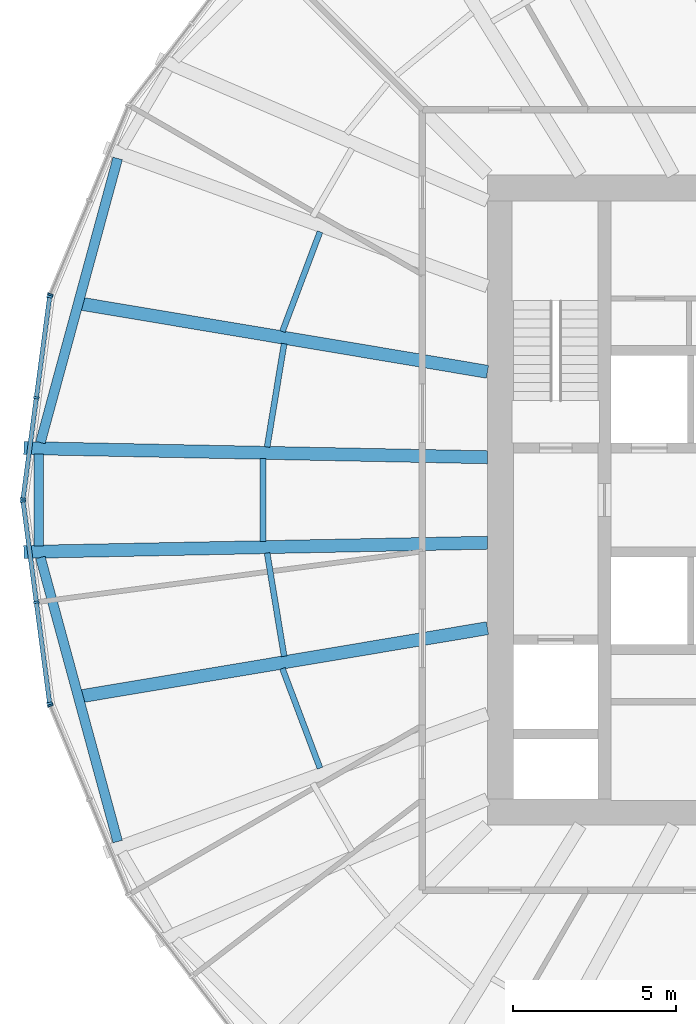
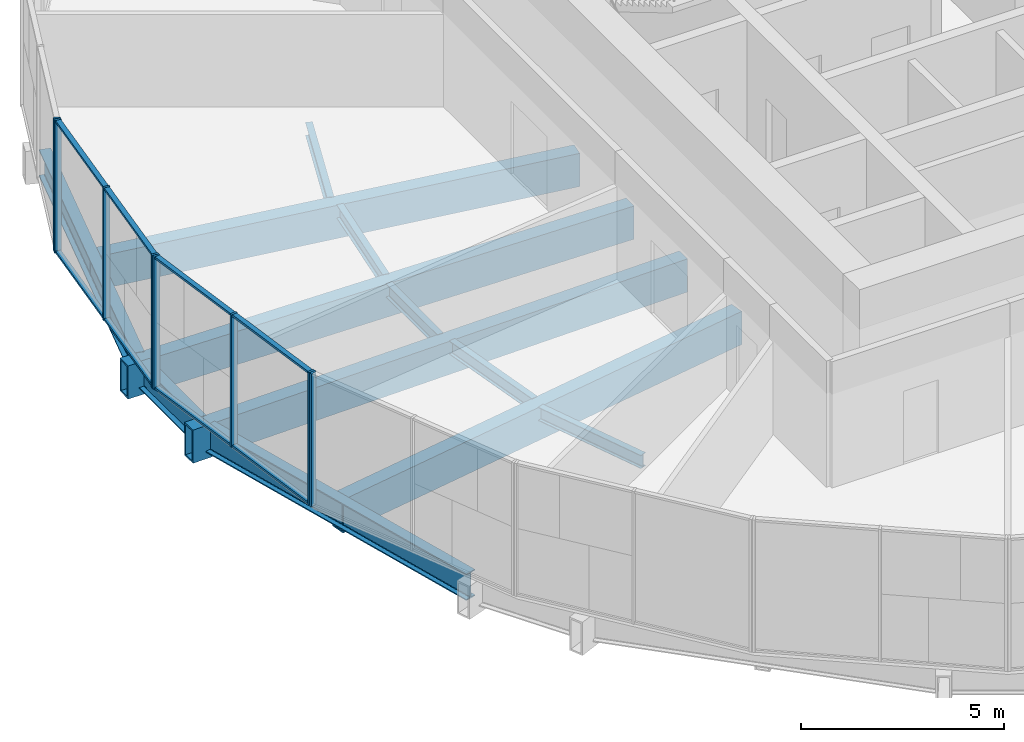
# One storey, part 3 of 13: 16 members, 12 beams, 4 elements without a shape of their own.
"""IFC4 building model written with IfcOpenShell, lengths in metres."""

from ifc_helpers import new_model, si_unit, direction, frame, origin, origin_2d, place, context, subcontext, project, spatial, rectangle, hollow_rectangle, i_section, extrude, material, material_profile, profile_set, type_object, element, aggregate, save


model = new_model("IFC4")

# Units and contexts
model_context = context("Model", 3, precision=1e-05, world=origin(), true_north=direction((0.0, 1.0)))
body_context = subcontext(model_context, "Body", "Model", "MODEL_VIEW")
ifc_project = project(units=[si_unit("LENGTHUNIT", "METRE"), si_unit("AREAUNIT", "SQUARE_METRE"), si_unit("VOLUMEUNIT", "CUBIC_METRE"), si_unit("PLANEANGLEUNIT", "RADIAN"), si_unit("MASSUNIT", "GRAM", prefix="KILO")], contexts=[model_context])

# Site, building, storey
site_placement = place(None, origin())
site = spatial("IfcSite", under=ifc_project, at=site_placement, CompositionType="ELEMENT")
building_placement = place(site_placement, origin())
building = spatial("IfcBuilding", under=site, at=building_placement, Name="Golbaran Civic Tower", CompositionType="ELEMENT")
storey_placement = place(building_placement, frame((0.0, 0.0, 81.0)))
storey = spatial("IfcBuildingStorey", under=building, at=storey_placement, Name="L19", CompositionType="ELEMENT", Elevation=81.0)

# Beams
ifc_material_1 = material(Name="Steel S355", Category="steel")
ifc_material_profile_1 = material_profile(ifc_material_1, i_section(OverallWidth=0.300048828125, OverallDepth=0.800048828125, WebThickness=0.017578125, FlangeThickness=0.032958984375, FilletRadius=0.030029296875, at=origin_2d()), Name="HEB 800")
ifc_profile_set_1 = profile_set([ifc_material_profile_1], Name="Steel S355")
beam_type_1 = type_object("IfcBeamType", Name="EDGE BEAM HEB 800", PredefinedType="BEAM", material=ifc_profile_set_1)
beam_1_placement = place(storey_placement, frame((-21.37451171875, 10.50634765625, -0.60009765625), z_axis=(-0.262357723601, -0.964970686014, 0.0), x_axis=(0.964970686014, -0.262357723601, 0.0)))
element("IfcBeam", 1, at=beam_1_placement, inside=storey, type_object=beam_type_1, Name="Edge beam 153.70 L19", PredefinedType="BEAM", context=body_context, shape_type="SweptSolid", body=[
    extrude(i_section(OverallWidth=0.300048828125, OverallDepth=0.800048828125, WebThickness=0.017578125, FlangeThickness=0.032958984375, FilletRadius=0.030029296875, at=origin_2d()), origin(), (0.0, 0.0, 1.0), 9.05615234375),
])
beam_2_placement = place(storey_placement, frame((-23.79931640625, 1.408203125, -0.60009765625), z_axis=(0.0, -1.0, 0.0), x_axis=(1.0, 0.0, 0.0)))
element("IfcBeam", 2, at=beam_2_placement, inside=storey, type_object=beam_type_1, Name="Edge beam 176.30 L19", PredefinedType="BEAM", context=body_context, shape_type="SweptSolid", body=[
    extrude(i_section(OverallWidth=0.300048828125, OverallDepth=0.800048828125, WebThickness=0.017578125, FlangeThickness=0.032958984375, FilletRadius=0.030029296875, at=origin_2d()), origin(), (0.0, 0.0, 1.0), 2.81640625),
])
beam_3_placement = place(storey_placement, frame((-23.75048828125, -1.767333984375, -0.60009765625), z_axis=(0.262357723601, -0.964970686014, 0.0), x_axis=(0.964970686014, 0.262357723601, 0.0)))
element("IfcBeam", 3, at=beam_3_placement, inside=storey, type_object=beam_type_1, Name="Edge beam 183.70 L19", PredefinedType="BEAM", context=body_context, shape_type="SweptSolid", body=[
    extrude(i_section(OverallWidth=0.300048828125, OverallDepth=0.800048828125, WebThickness=0.017578125, FlangeThickness=0.032958984375, FilletRadius=0.030029296875, at=origin_2d()), origin(), (0.0, 0.0, 1.0), 9.05615234375),
])
ifc_material_profile_2 = material_profile(ifc_material_1, i_section(OverallWidth=0.179931640625, OverallDepth=0.39990234375, WebThickness=0.008544921875, FlangeThickness=0.013427734375, FilletRadius=0.02099609375, at=origin_2d()), Name="IPE 400")
ifc_profile_set_2 = profile_set([ifc_material_profile_2], Name="Steel S355")
beam_type_2 = type_object("IfcBeamType", Name="FLOOR INFILL BEAM IPE 400", PredefinedType="BEAM", material=ifc_profile_set_2)
beam_4_placement = place(storey_placement, frame((-15.15185546875, 8.248779296875, -0.39990234375), z_axis=(-0.35269054468, -0.935740017149, 0.0), x_axis=(0.935740017149, -0.35269054468, 0.0)))
element("IfcBeam", 4, at=beam_4_placement, inside=storey, type_object=beam_type_2, Name="Infill beam 159.35 L19", PredefinedType="BEAM", context=body_context, shape_type="SweptSolid", body=[
    extrude(i_section(OverallWidth=0.179931640625, OverallDepth=0.39990234375, WebThickness=0.008544921875, FlangeThickness=0.013427734375, FilletRadius=0.02099609375, at=origin_2d()), origin(), (0.0, 0.0, 1.0), 3.277099609375),
])
beam_5_placement = place(storey_placement, frame((-16.254638671875, 4.808349609375, -0.39990234375), z_axis=(-0.16244509713, -0.986717583921, 0.0), x_axis=(0.986717583921, -0.16244509713, 0.0)))
element("IfcBeam", 5, at=beam_5_placement, inside=storey, type_object=beam_type_2, Name="Infill beam 170.65 L19", PredefinedType="BEAM", context=body_context, shape_type="SweptSolid", body=[
    extrude(i_section(OverallWidth=0.179931640625, OverallDepth=0.39990234375, WebThickness=0.008544921875, FlangeThickness=0.013427734375, FilletRadius=0.02099609375, at=origin_2d()), origin(), (0.0, 0.0, 1.0), 3.22216796875),
])
beam_6_placement = place(storey_placement, frame((-16.899658203125, 1.271240234375, -0.39990234375), z_axis=(0.0, -1.0, 0.0), x_axis=(1.0, 0.0, 0.0)))
element("IfcBeam", 6, at=beam_6_placement, inside=storey, type_object=beam_type_2, Name="Infill beam 180.00 L19", PredefinedType="BEAM", context=body_context, shape_type="SweptSolid", body=[
    extrude(i_section(OverallWidth=0.179931640625, OverallDepth=0.39990234375, WebThickness=0.008544921875, FlangeThickness=0.013427734375, FilletRadius=0.02099609375, at=origin_2d()), origin(), (0.0, 0.0, 1.0), 2.54248046875),
])
beam_7_placement = place(storey_placement, frame((-16.778076171875, -1.62890625, -0.39990234375), z_axis=(0.16244509713, -0.986717583921, 0.0), x_axis=(0.986717583921, 0.16244509713, 0.0)))
element("IfcBeam", 7, at=beam_7_placement, inside=storey, type_object=beam_type_2, Name="Infill beam 189.35 L19", PredefinedType="BEAM", context=body_context, shape_type="SweptSolid", body=[
    extrude(i_section(OverallWidth=0.179931640625, OverallDepth=0.39990234375, WebThickness=0.008544921875, FlangeThickness=0.013427734375, FilletRadius=0.02099609375, at=origin_2d()), origin(), (0.0, 0.0, 1.0), 3.22216796875),
])
beam_8_placement = place(storey_placement, frame((-16.3076171875, -5.182373046875, -0.39990234375), z_axis=(0.35269054468, -0.935740017149, 0.0), x_axis=(0.935740017149, 0.35269054468, 0.0)))
element("IfcBeam", 8, at=beam_8_placement, inside=storey, type_object=beam_type_2, Name="Infill beam 200.65 L19", PredefinedType="BEAM", context=body_context, shape_type="SweptSolid", body=[
    extrude(i_section(OverallWidth=0.179931640625, OverallDepth=0.39990234375, WebThickness=0.008544921875, FlangeThickness=0.013427734375, FilletRadius=0.02099609375, at=origin_2d()), origin(), (0.0, 0.0, 1.0), 3.277099609375),
])

# Curtain wall, member
ifc_material_2 = material(Name="Aluminium and glass", Category="aluminium")
curtain_wall_type = type_object("IfcCurtainWallType", Name="INNER SKIN CURTAIN WALL", PredefinedType="NOTDEFINED", material=ifc_material_2)
curtain_wall_1_placement = place(storey_placement, origin())
curtain_wall_1 = element("IfcCurtainWall", 9, at=curtain_wall_1_placement, inside=storey, type_object=curtain_wall_type, Name="Inner skin L19 facet 11 CW1", ObjectType="INNER SKIN", PredefinedType="USERDEFINED")
ifc_material_3 = material(Name="Aluminium", Category="aluminium")
ifc_material_profile_3 = material_profile(ifc_material_3, rectangle(XDim=0.179931640625, YDim=0.06494140625, at=origin_2d()), Name="INNER SKIN CURTAIN WALL MULLION")
ifc_profile_set_3 = profile_set([ifc_material_profile_3], Name="Aluminium")
member_type_1 = type_object("IfcMemberType", Name="INNER SKIN CURTAIN WALL MULLION", PredefinedType="MULLION", material=ifc_profile_set_3)
member_1_placement = place(storey_placement, frame((-23.449951171875, 6.316650390625, 0.0), z_axis=(0.0, 0.0, 1.0), x_axis=(0.923879532478, -0.382683432446, 0.0)))
member_1 = element("IfcMember", 10, at=member_1_placement, type_object=member_type_1, Name="CW1 mullion 3", PredefinedType="MULLION", context=body_context, shape_type="SweptSolid", body=[
    extrude(rectangle(XDim=0.179931640625, YDim=0.06494140625, at=origin_2d()), origin(), (0.0, 0.0, 1.0), 4.0),
])
aggregate(curtain_wall_1, [member_1])

# Curtain wall, members
curtain_wall_2_placement = place(storey_placement, origin())
curtain_wall_2 = element("IfcCurtainWall", 11, at=curtain_wall_2_placement, inside=storey, type_object=curtain_wall_type, Name="Inner skin L19 facet 12 CW1", ObjectType="INNER SKIN", PredefinedType="USERDEFINED")
member_2_placement = place(storey_placement, frame((-23.466552734375, 6.25439453125, 0.0), z_axis=(0.0, 0.0, 1.0), x_axis=(0.991444861383, -0.130526192151, 0.0)))
member_2 = element("IfcMember", 12, at=member_2_placement, type_object=member_type_1, Name="CW1 mullion 1", PredefinedType="MULLION", context=body_context, shape_type="SweptSolid", body=[
    extrude(rectangle(XDim=0.179931640625, YDim=0.06494140625, at=origin_2d()), origin(), (0.0, 0.0, 1.0), 4.0),
])
member_3_placement = place(storey_placement, frame((-23.876220703125, 3.143310546875, 0.0), z_axis=(0.0, 0.0, 1.0), x_axis=(0.991444861383, -0.130526192151, 0.0)))
member_3 = element("IfcMember", 13, at=member_3_placement, type_object=member_type_1, Name="CW1 mullion 2", PredefinedType="MULLION", context=body_context, shape_type="SweptSolid", body=[
    extrude(rectangle(XDim=0.179931640625, YDim=0.06494140625, at=origin_2d()), origin(), (0.0, 0.0, 1.0), 4.0),
])
member_4_placement = place(storey_placement, frame((-24.28564453125, 0.0322265625, 0.0), z_axis=(0.0, 0.0, 1.0), x_axis=(0.991444861383, -0.130526192151, 0.0)))
member_4 = element("IfcMember", 14, at=member_4_placement, type_object=member_type_1, Name="CW1 mullion 3", PredefinedType="MULLION", context=body_context, shape_type="SweptSolid", body=[
    extrude(rectangle(XDim=0.179931640625, YDim=0.06494140625, at=origin_2d()), origin(), (0.0, 0.0, 1.0), 4.0),
])

curtain_wall_3_placement = place(storey_placement, origin())
curtain_wall_3 = element("IfcCurtainWall", 15, at=curtain_wall_3_placement, inside=storey, type_object=curtain_wall_type, Name="Inner skin L19 facet 13 CW1", ObjectType="INNER SKIN", PredefinedType="USERDEFINED")
member_5_placement = place(storey_placement, frame((-24.28564453125, -0.0322265625, 0.0), z_axis=(0.0, 0.0, 1.0), x_axis=(0.991444861383, 0.130526192151, 0.0)))
member_5 = element("IfcMember", 16, at=member_5_placement, type_object=member_type_1, Name="CW1 mullion 1", PredefinedType="MULLION", context=body_context, shape_type="SweptSolid", body=[
    extrude(rectangle(XDim=0.179931640625, YDim=0.06494140625, at=origin_2d()), origin(), (0.0, 0.0, 1.0), 4.0),
])
member_6_placement = place(storey_placement, frame((-23.876220703125, -3.143310546875, 0.0), z_axis=(0.0, 0.0, 1.0), x_axis=(0.991444861383, 0.130526192151, 0.0)))
member_6 = element("IfcMember", 17, at=member_6_placement, type_object=member_type_1, Name="CW1 mullion 2", PredefinedType="MULLION", context=body_context, shape_type="SweptSolid", body=[
    extrude(rectangle(XDim=0.179931640625, YDim=0.06494140625, at=origin_2d()), origin(), (0.0, 0.0, 1.0), 4.0),
])
member_7_placement = place(storey_placement, frame((-23.466552734375, -6.25439453125, 0.0), z_axis=(0.0, 0.0, 1.0), x_axis=(0.991444861383, 0.130526192151, 0.0)))
member_7 = element("IfcMember", 18, at=member_7_placement, type_object=member_type_1, Name="CW1 mullion 3", PredefinedType="MULLION", context=body_context, shape_type="SweptSolid", body=[
    extrude(rectangle(XDim=0.179931640625, YDim=0.06494140625, at=origin_2d()), origin(), (0.0, 0.0, 1.0), 4.0),
])

# Curtain wall, member
curtain_wall_4_placement = place(storey_placement, origin())
curtain_wall_4 = element("IfcCurtainWall", 19, at=curtain_wall_4_placement, inside=storey, type_object=curtain_wall_type, Name="Inner skin L19 facet 14 CW1", ObjectType="INNER SKIN", PredefinedType="USERDEFINED")
member_8_placement = place(storey_placement, frame((-23.449951171875, -6.316650390625, 0.0), z_axis=(0.0, 0.0, 1.0), x_axis=(0.923879532478, 0.382683432446, 0.0)))
member_8 = element("IfcMember", 20, at=member_8_placement, type_object=member_type_1, Name="CW1 mullion 1", PredefinedType="MULLION", context=body_context, shape_type="SweptSolid", body=[
    extrude(rectangle(XDim=0.179931640625, YDim=0.06494140625, at=origin_2d()), origin(), (0.0, 0.0, 1.0), 4.0),
])
aggregate(curtain_wall_4, [member_8])

# Member
ifc_material_profile_4 = material_profile(ifc_material_3, rectangle(XDim=0.139892578125, YDim=0.06494140625, at=origin_2d()), Name="INNER SKIN CURTAIN WALL TRANSOM")
ifc_profile_set_4 = profile_set([ifc_material_profile_4], Name="Aluminium")
member_type_2 = type_object("IfcMemberType", Name="INNER SKIN CURTAIN WALL TRANSOM", PredefinedType="USERDEFINED", material=ifc_profile_set_4)
member_9_placement = place(storey_placement, frame((-23.470703125, 6.22216796875, 0.032470703125), z_axis=(-0.130534664207, -0.991443745979, 0.0), x_axis=(0.991443745979, -0.130534664207, 0.0)))
member_9 = element("IfcMember", 21, at=member_9_placement, type_object=member_type_2, Name="CW1 transom 1.1", ObjectType="TRANSOM", PredefinedType="USERDEFINED", context=body_context, shape_type="SweptSolid", body=[
    extrude(rectangle(XDim=0.139892578125, YDim=0.06494140625, at=origin_2d()), origin(), (0.0, 0.0, 1.0), 3.072998046875),
])

member_10_placement = place(storey_placement, frame((-23.470703125, 6.22216796875, 3.967529296875), z_axis=(-0.130534664207, -0.991443745979, 0.0), x_axis=(0.991443745979, -0.130534664207, 0.0)))
member_10 = element("IfcMember", 22, at=member_10_placement, type_object=member_type_2, Name="CW1 transom 1.2", ObjectType="TRANSOM", PredefinedType="USERDEFINED", context=body_context, shape_type="SweptSolid", body=[
    extrude(rectangle(XDim=0.139892578125, YDim=0.06494140625, at=origin_2d()), origin(), (0.0, 0.0, 1.0), 3.072998046875),
])

member_11_placement = place(storey_placement, frame((-23.88037109375, 3.111083984375, 0.032470703125), z_axis=(-0.130534664207, -0.991443745979, 0.0), x_axis=(0.991443745979, -0.130534664207, 0.0)))
member_11 = element("IfcMember", 23, at=member_11_placement, type_object=member_type_2, Name="CW1 transom 2.1", ObjectType="TRANSOM", PredefinedType="USERDEFINED", context=body_context, shape_type="SweptSolid", body=[
    extrude(rectangle(XDim=0.139892578125, YDim=0.06494140625, at=origin_2d()), origin(), (0.0, 0.0, 1.0), 3.072998046875),
])

member_12_placement = place(storey_placement, frame((-23.88037109375, 3.111083984375, 3.967529296875), z_axis=(-0.130534664207, -0.991443745979, 0.0), x_axis=(0.991443745979, -0.130534664207, 0.0)))
member_12 = element("IfcMember", 24, at=member_12_placement, type_object=member_type_2, Name="CW1 transom 2.2", ObjectType="TRANSOM", PredefinedType="USERDEFINED", context=body_context, shape_type="SweptSolid", body=[
    extrude(rectangle(XDim=0.139892578125, YDim=0.06494140625, at=origin_2d()), origin(), (0.0, 0.0, 1.0), 3.072998046875),
])

aggregate(curtain_wall_2, [member_2, member_3, member_4, member_9, member_10, member_11, member_12])

member_13_placement = place(storey_placement, frame((-24.281494140625, -0.064453125, 0.032470703125), z_axis=(0.130534664207, -0.991443745979, 0.0), x_axis=(0.991443745979, 0.130534664207, 0.0)))
member_13 = element("IfcMember", 25, at=member_13_placement, type_object=member_type_2, Name="CW1 transom 1.1", ObjectType="TRANSOM", PredefinedType="USERDEFINED", context=body_context, shape_type="SweptSolid", body=[
    extrude(rectangle(XDim=0.139892578125, YDim=0.06494140625, at=origin_2d()), origin(), (0.0, 0.0, 1.0), 3.072998046875),
])

member_14_placement = place(storey_placement, frame((-24.281494140625, -0.064453125, 3.967529296875), z_axis=(0.130534664207, -0.991443745979, 0.0), x_axis=(0.991443745979, 0.130534664207, 0.0)))
member_14 = element("IfcMember", 26, at=member_14_placement, type_object=member_type_2, Name="CW1 transom 1.2", ObjectType="TRANSOM", PredefinedType="USERDEFINED", context=body_context, shape_type="SweptSolid", body=[
    extrude(rectangle(XDim=0.139892578125, YDim=0.06494140625, at=origin_2d()), origin(), (0.0, 0.0, 1.0), 3.072998046875),
])

member_15_placement = place(storey_placement, frame((-23.871826171875, -3.175537109375, 0.032470703125), z_axis=(0.130534664207, -0.991443745979, 0.0), x_axis=(0.991443745979, 0.130534664207, 0.0)))
member_15 = element("IfcMember", 27, at=member_15_placement, type_object=member_type_2, Name="CW1 transom 2.1", ObjectType="TRANSOM", PredefinedType="USERDEFINED", context=body_context, shape_type="SweptSolid", body=[
    extrude(rectangle(XDim=0.139892578125, YDim=0.06494140625, at=origin_2d()), origin(), (0.0, 0.0, 1.0), 3.072998046875),
])

member_16_placement = place(storey_placement, frame((-23.871826171875, -3.175537109375, 3.967529296875), z_axis=(0.130534664207, -0.991443745979, 0.0), x_axis=(0.991443745979, 0.130534664207, 0.0)))
member_16 = element("IfcMember", 28, at=member_16_placement, type_object=member_type_2, Name="CW1 transom 2.2", ObjectType="TRANSOM", PredefinedType="USERDEFINED", context=body_context, shape_type="SweptSolid", body=[
    extrude(rectangle(XDim=0.139892578125, YDim=0.06494140625, at=origin_2d()), origin(), (0.0, 0.0, 1.0), 3.072998046875),
])

aggregate(curtain_wall_3, [member_5, member_6, member_7, member_13, member_14, member_15, member_16])

# Beams
ifc_material_profile_5 = material_profile(ifc_material_1, hollow_rectangle(XDim=0.39990234375, YDim=1.0, WallThickness=0.050048828125, at=origin_2d()), Name="BOX 1000x400x50")
ifc_profile_set_5 = profile_set([ifc_material_profile_5], Name="Steel S355")
beam_type_3 = type_object("IfcBeamType", Name="RADIAL FLOOR BEAM BOX 1000x400x50", PredefinedType="BEAM", material=ifc_profile_set_5)
for number, where, z_axis, x_axis, name in (
    (29, (-10.0, 1.314208984375, -0.7099609375), (-0.999802869694, 0.019855018298, 0.0), (-0.019855018298, -0.999802869694, 0.0), "Radial beam 176.30 L19"),
    (30, (-10.0, -1.314208984375, -0.7099609375), (-0.999802869694, -0.019855018298, 0.0), (0.019855018298, -0.999802869694, 0.0), "Radial beam 183.70 L19"),
):
    element("IfcBeam", number, at=place(storey_placement, frame(where, z_axis=z_axis, x_axis=x_axis)), inside=storey, type_object=beam_type_3, Name=name, PredefinedType="BEAM", context=body_context, shape_type="SweptSolid", body=[
        extrude(hollow_rectangle(XDim=0.39990234375, YDim=1.0, WallThickness=0.050048828125, at=origin_2d()), origin(), (0.0, 0.0, 1.0), 14.263671875),
    ])
ifc_material_profile_6 = material_profile(ifc_material_1, hollow_rectangle(XDim=0.39990234375, YDim=1.0, WallThickness=0.0400390625, at=origin_2d()), Name="BOX 1000x400x40")
ifc_profile_set_6 = profile_set([ifc_material_profile_6], Name="Steel S355")
beam_type_4 = type_object("IfcBeamType", Name="SECONDARY FLOOR BEAM BOX 1000x400x40", PredefinedType="BEAM", material=ifc_profile_set_6)
for number, where, z_axis, x_axis, name in (
    (31, (-10.0, 3.94287109375, -0.7099609375), (-0.986250321422, 0.165258293272, 0.0), (-0.165258293272, -0.986250321422, 0.0), "Secondary beam 165.00 L19"),
    (32, (-10.0, -3.94287109375, -0.7099609375), (-0.986250321422, -0.165258293272, 0.0), (0.165258293272, -0.986250321422, 0.0), "Secondary beam 195.00 L19"),
):
    element("IfcBeam", number, at=place(storey_placement, frame(where, z_axis=z_axis, x_axis=x_axis)), inside=storey, type_object=beam_type_4, Name=name, PredefinedType="BEAM", context=body_context, shape_type="SweptSolid", body=[
        extrude(hollow_rectangle(XDim=0.39990234375, YDim=1.0, WallThickness=0.0400390625, at=origin_2d()), origin(), (0.0, 0.0, 1.0), 12.76123046875),
    ])

save(model, "model.ifc")
